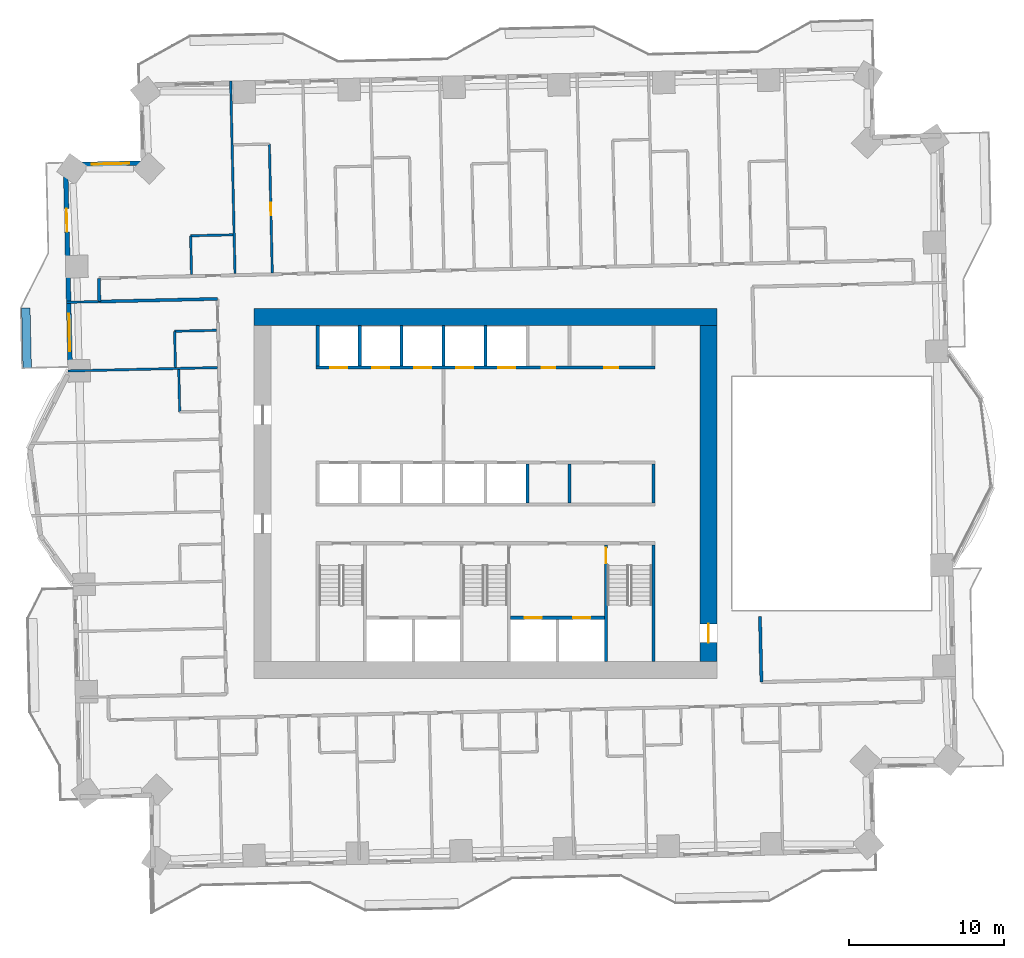
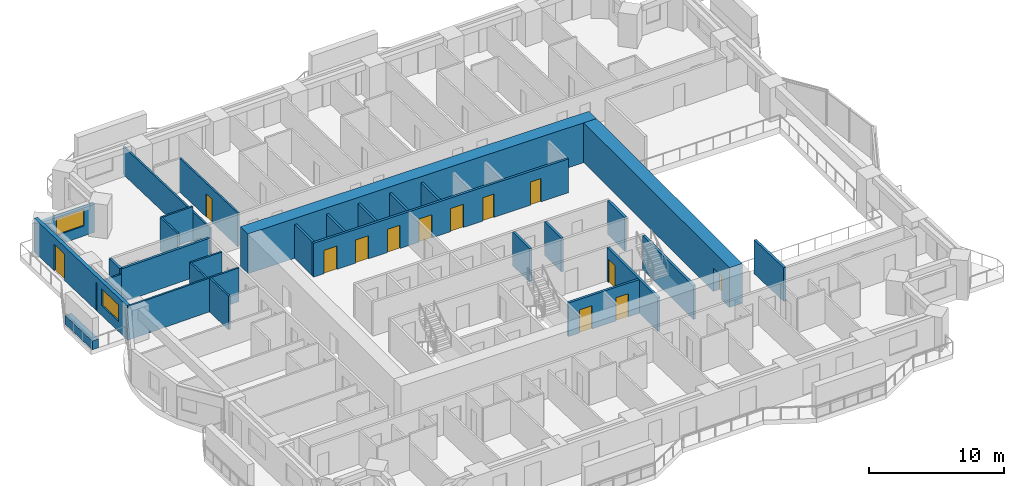
# One storey, part 10 of 17: 29 walls, 13 doors, 2 windows, 15 openings.
"""IFC4 building model written with IfcOpenShell, lengths in metres."""

from ifc_helpers import new_model, si_unit, direction, frame, frame_2d, origin, place, context, subcontext, project, spatial, rectangle, extrude, material, layer, layer_set, type_object, element, fill, save


model = new_model("IFC4")

# Units and contexts
model_context = context("Model", 3, precision=1e-05, world=origin(), true_north=direction((0.0, 1.0)))
body_context = subcontext(model_context, "Body", "Model", "MODEL_VIEW")
ifc_project = project(units=[si_unit("LENGTHUNIT", "METRE"), si_unit("AREAUNIT", "SQUARE_METRE"), si_unit("VOLUMEUNIT", "CUBIC_METRE"), si_unit("PLANEANGLEUNIT", "RADIAN"), si_unit("MASSUNIT", "GRAM", prefix="KILO")], contexts=[model_context])

# Site, building, storey
site_placement = place(None, origin())
site = spatial("IfcSite", under=ifc_project, at=site_placement, CompositionType="ELEMENT")
building_placement = place(site_placement, origin())
building = spatial("IfcBuilding", under=site, at=building_placement, Name="Mangrove Gate Tower", CompositionType="ELEMENT")
storey_placement = place(building_placement, frame((0.0, 0.0, 86.5)))
storey = spatial("IfcBuildingStorey", under=building, at=storey_placement, Name="L21", CompositionType="ELEMENT", Elevation=86.5)

# Walls
ifc_material_1 = material(Name="Concrete C32/40", Category="concrete")
ifc_layer_1 = layer(ifc_material_1, 0.199951171875)
ifc_layer_set_1 = layer_set([ifc_layer_1], Name="Core room wall 200 C32/40")
wall_type_1 = type_object("IfcWallType", Name="Core room wall 200 C32/40", PredefinedType="STANDARD", material=ifc_layer_set_1)
for number, where, z_axis, x_axis, name in (
    (1, (5.39990234375, -0.60009765625, 0.0), (0.0, 0.0, 1.0), (0.0, 1.0, 0.0), "WALL-L21-CORE-25"),
    (2, (10.800048828125, -0.60009765625, 0.0), (0.0, 0.0, 1.0), (0.0, 1.0, 0.0), "WALL-L21-CORE-26"),
):
    element("IfcWall", number, at=place(storey_placement, frame(where, z_axis=z_axis, x_axis=x_axis)), inside=storey, type_object=wall_type_1, Name=name, PredefinedType="STANDARD", context=body_context, shape_type="SweptSolid", body=[
        extrude(rectangle(XDim=2.5, YDim=0.199951171875, at=frame_2d((1.25, 0.0))), origin(), (0.0, 0.0, 1.0), 3.050048828125),
    ])

# Wall, openings, doors
ifc_material_2 = material(Name="Concrete C70/85", Category="concrete")
ifc_layer_2 = layer(ifc_material_2, 0.199951171875)
ifc_layer_set_2 = layer_set([ifc_layer_2], Name="Core shaft wall 200 C70/85")
wall_type_2 = type_object("IfcWallType", Name="Core shaft wall 200 C70/85", PredefinedType="SHEAR", material=ifc_layer_set_2)
wall_1_placement = place(storey_placement, frame((-10.89990234375, 8.10009765625, 0.0), z_axis=(0.0, 0.0, 1.0), x_axis=(1.0, 0.0, 0.0)))
wall_1 = element("IfcWall", 3, at=wall_1_placement, inside=storey, type_object=wall_type_2, Name="WALL-L21-CORE-8", PredefinedType="SHEAR", context=body_context, shape_type="SweptSolid", body=[
    extrude(rectangle(XDim=21.7998046875, YDim=0.199951171875, at=frame_2d((10.89990234375, 0.0))), origin(), (0.0, 0.0, 1.0), 3.050048828125),
])
opening_1_placement = place(wall_1_placement, frame((0.89990234375, 0.0, 0.0)))
opening_1 = element("IfcOpeningElement", 4, at=opening_1_placement, cuts=wall_1, Name="Opening LD", PredefinedType="OPENING", context=body_context, shape_type="SweptSolid", body=[
    extrude(rectangle(XDim=1.10009765625, YDim=2.10009765625, at=frame_2d((0.550048828125, 1.050048828125))), frame((0.0, 0.10986328125, 0.0), z_axis=(0.0, -1.0, 0.0), x_axis=(1.0, 0.0, 0.0)), (0.0, 0.0, 1.0), 0.219970703125),
])
opening_2_placement = place(wall_1_placement, frame((3.60009765625, 0.0, 0.0)))
opening_2 = element("IfcOpeningElement", 5, at=opening_2_placement, cuts=wall_1, Name="Opening LD", PredefinedType="OPENING", context=body_context, shape_type="SweptSolid", body=[
    extrude(rectangle(XDim=1.10009765625, YDim=2.10009765625, at=frame_2d((0.550048828125, 1.050048828125))), frame((0.0, 0.10986328125, 0.0), z_axis=(0.0, -1.0, 0.0), x_axis=(1.0, 0.0, 0.0)), (0.0, 0.0, 1.0), 0.219970703125),
])
opening_3_placement = place(wall_1_placement, frame((6.300048828125, 0.0, 0.0)))
opening_3 = element("IfcOpeningElement", 6, at=opening_3_placement, cuts=wall_1, Name="Opening LD", PredefinedType="OPENING", context=body_context, shape_type="SweptSolid", body=[
    extrude(rectangle(XDim=1.10009765625, YDim=2.10009765625, at=frame_2d((0.550048828125, 1.050048828125))), frame((0.0, 0.10986328125, 0.0), z_axis=(0.0, -1.0, 0.0), x_axis=(1.0, 0.0, 0.0)), (0.0, 0.0, 1.0), 0.219970703125),
])
opening_4_placement = place(wall_1_placement, frame((9.0, 0.0, 0.0)))
opening_4 = element("IfcOpeningElement", 7, at=opening_4_placement, cuts=wall_1, Name="Opening LD", PredefinedType="OPENING", context=body_context, shape_type="SweptSolid", body=[
    extrude(rectangle(XDim=1.10009765625, YDim=2.10009765625, at=frame_2d((0.550048828125, 1.050048828125))), frame((0.0, 0.10986328125, 0.0), z_axis=(0.0, -1.0, 0.0), x_axis=(1.0, 0.0, 0.0)), (0.0, 0.0, 1.0), 0.219970703125),
])
opening_5_placement = place(wall_1_placement, frame((11.699951171875, 0.0, 0.0)))
opening_5 = element("IfcOpeningElement", 8, at=opening_5_placement, cuts=wall_1, Name="Opening LD", PredefinedType="OPENING", context=body_context, shape_type="SweptSolid", body=[
    extrude(rectangle(XDim=1.10009765625, YDim=2.10009765625, at=frame_2d((0.550048828125, 1.050048828125))), frame((0.0, 0.10986328125, 0.0), z_axis=(0.0, -1.0, 0.0), x_axis=(1.0, 0.0, 0.0)), (0.0, 0.0, 1.0), 0.219970703125),
])
opening_6_placement = place(wall_1_placement, frame((14.5, 0.0, 0.0)))
opening_6 = element("IfcOpeningElement", 9, at=opening_6_placement, cuts=wall_1, Name="Opening KD", PredefinedType="OPENING", context=body_context, shape_type="SweptSolid", body=[
    extrude(rectangle(XDim=0.89990234375, YDim=2.10009765625, at=frame_2d((0.449951171875, 1.050048828125))), frame((0.0, 0.10986328125, 0.0), z_axis=(0.0, -1.0, 0.0), x_axis=(1.0, 0.0, 0.0)), (0.0, 0.0, 1.0), 0.219970703125),
])
opening_7_placement = place(wall_1_placement, frame((18.550048828125, 0.0, 0.0)))
opening_7 = element("IfcOpeningElement", 10, at=opening_7_placement, cuts=wall_1, Name="Opening RD", PredefinedType="OPENING", context=body_context, shape_type="SweptSolid", body=[
    extrude(rectangle(XDim=0.89990234375, YDim=2.10009765625, at=frame_2d((0.449951171875, 1.050048828125))), frame((0.0, 0.10986328125, 0.0), z_axis=(0.0, -1.0, 0.0), x_axis=(1.0, 0.0, 0.0)), (0.0, 0.0, 1.0), 0.219970703125),
])
ifc_material_3 = material(Name="Fire-rated steel door set", Category="steel")
door_type_1 = type_object("IfcDoorType", Name="Core room door FD30S 900x2100", OperationType="SINGLE_SWING_RIGHT", PredefinedType="DOOR", material=ifc_material_3)
door_1_placement = place(opening_6_placement, origin())
door_1 = element("IfcDoor", 11, at=door_1_placement, inside=storey, type_object=door_type_1, Name="Core room door Linen store", OperationType="SINGLE_SWING_RIGHT", OverallHeight=2.10009765625, OverallWidth=0.89990234375, PredefinedType="DOOR", context=body_context, shape_type="SweptSolid", body=[
    extrude(rectangle(XDim=0.89990234375, YDim=2.10009765625, at=frame_2d((0.449951171875, 1.050048828125))), frame((0.0, 0.02490234375, 0.0), z_axis=(0.0, -1.0, 0.0), x_axis=(1.0, 0.0, 0.0)), (0.0, 0.0, 1.0), 0.050048828125),
])
fill(opening_6, door_1)
ifc_material_4 = material(Name="Stainless steel 316", Category="steel")
door_type_2 = type_object("IfcDoorType", Name="Lift landing door 1100x2100", OperationType="SLIDING_TO_LEFT", PredefinedType="DOOR", material=ifc_material_4)
door_2_placement = place(opening_1_placement, origin())
door_2 = element("IfcDoor", 12, at=door_2_placement, inside=storey, type_object=door_type_2, Name="Landing door LD P06", OperationType="SLIDING_TO_LEFT", OverallHeight=2.10009765625, OverallWidth=1.10009765625, PredefinedType="DOOR", context=body_context, shape_type="SweptSolid", body=[
    extrude(rectangle(XDim=1.10009765625, YDim=2.10009765625, at=frame_2d((0.550048828125, 1.050048828125))), frame((0.0, 0.02490234375, 0.0), z_axis=(0.0, -1.0, 0.0), x_axis=(1.0, 0.0, 0.0)), (0.0, 0.0, 1.0), 0.050048828125),
])
fill(opening_1, door_2)
door_3_placement = place(opening_2_placement, origin())
door_3 = element("IfcDoor", 13, at=door_3_placement, inside=storey, type_object=door_type_2, Name="Landing door LD P07", OperationType="SLIDING_TO_LEFT", OverallHeight=2.10009765625, OverallWidth=1.10009765625, PredefinedType="DOOR", context=body_context, shape_type="SweptSolid", body=[
    extrude(rectangle(XDim=1.10009765625, YDim=2.10009765625, at=frame_2d((0.550048828125, 1.050048828125))), frame((0.0, 0.02490234375, 0.0), z_axis=(0.0, -1.0, 0.0), x_axis=(1.0, 0.0, 0.0)), (0.0, 0.0, 1.0), 0.050048828125),
])
fill(opening_2, door_3)
door_4_placement = place(opening_3_placement, origin())
door_4 = element("IfcDoor", 14, at=door_4_placement, inside=storey, type_object=door_type_2, Name="Landing door LD P08", OperationType="SLIDING_TO_LEFT", OverallHeight=2.10009765625, OverallWidth=1.10009765625, PredefinedType="DOOR", context=body_context, shape_type="SweptSolid", body=[
    extrude(rectangle(XDim=1.10009765625, YDim=2.10009765625, at=frame_2d((0.550048828125, 1.050048828125))), frame((0.0, 0.02490234375, 0.0), z_axis=(0.0, -1.0, 0.0), x_axis=(1.0, 0.0, 0.0)), (0.0, 0.0, 1.0), 0.050048828125),
])
fill(opening_3, door_4)
door_5_placement = place(opening_4_placement, origin())
door_5 = element("IfcDoor", 15, at=door_5_placement, inside=storey, type_object=door_type_2, Name="Landing door LD P09", OperationType="SLIDING_TO_LEFT", OverallHeight=2.10009765625, OverallWidth=1.10009765625, PredefinedType="DOOR", context=body_context, shape_type="SweptSolid", body=[
    extrude(rectangle(XDim=1.10009765625, YDim=2.10009765625, at=frame_2d((0.550048828125, 1.050048828125))), frame((0.0, 0.02490234375, 0.0), z_axis=(0.0, -1.0, 0.0), x_axis=(1.0, 0.0, 0.0)), (0.0, 0.0, 1.0), 0.050048828125),
])
fill(opening_4, door_5)
door_6_placement = place(opening_5_placement, origin())
door_6 = element("IfcDoor", 16, at=door_6_placement, inside=storey, type_object=door_type_2, Name="Landing door LD P10", OperationType="SLIDING_TO_LEFT", OverallHeight=2.10009765625, OverallWidth=1.10009765625, PredefinedType="DOOR", context=body_context, shape_type="SweptSolid", body=[
    extrude(rectangle(XDim=1.10009765625, YDim=2.10009765625, at=frame_2d((0.550048828125, 1.050048828125))), frame((0.0, 0.02490234375, 0.0), z_axis=(0.0, -1.0, 0.0), x_axis=(1.0, 0.0, 0.0)), (0.0, 0.0, 1.0), 0.050048828125),
])
fill(opening_5, door_6)
ifc_material_5 = material(Name="Fire-rated steel door set", Category="steel")
door_type_3 = type_object("IfcDoorType", Name="Riser door FD30S 900x2100", OperationType="SINGLE_SWING_LEFT", PredefinedType="DOOR", material=ifc_material_5)
door_7_placement = place(opening_7_placement, origin())
door_7 = element("IfcDoor", 17, at=door_7_placement, inside=storey, type_object=door_type_3, Name="Riser door Switch room", OperationType="SINGLE_SWING_LEFT", OverallHeight=2.10009765625, OverallWidth=0.89990234375, PredefinedType="DOOR", context=body_context, shape_type="SweptSolid", body=[
    extrude(rectangle(XDim=0.89990234375, YDim=2.10009765625, at=frame_2d((0.449951171875, 1.050048828125))), frame((0.0, 0.02490234375, 0.0), z_axis=(0.0, -1.0, 0.0), x_axis=(1.0, 0.0, 0.0)), (0.0, 0.0, 1.0), 0.050048828125),
])
fill(opening_7, door_7)

wall_2_placement = place(storey_placement, frame((1.60009765625, -8.0, 0.0), z_axis=(0.0, 0.0, 1.0), x_axis=(1.0, 0.0, 0.0)))
wall_2 = element("IfcWall", 18, at=wall_2_placement, inside=storey, type_object=wall_type_2, Name="WALL-L21-CORE-17", PredefinedType="SHEAR", context=body_context, shape_type="SweptSolid", body=[
    extrude(rectangle(XDim=6.0498046875, YDim=0.199951171875, at=frame_2d((3.02490234375, 0.0))), origin(), (0.0, 0.0, 1.0), 3.050048828125),
])
opening_8_placement = place(wall_2_placement, frame((0.91259765625, 0.0, 0.0)))
opening_8 = element("IfcOpeningElement", 19, at=opening_8_placement, cuts=wall_2, Name="Opening LD", PredefinedType="OPENING", context=body_context, shape_type="SweptSolid", body=[
    extrude(rectangle(XDim=1.10009765625, YDim=2.10009765625, at=frame_2d((0.550048828125, 1.050048828125))), frame((0.0, 0.10986328125, 0.0), z_axis=(0.0, -1.0, 0.0), x_axis=(1.0, 0.0, 0.0)), (0.0, 0.0, 1.0), 0.219970703125),
])
opening_9_placement = place(wall_2_placement, frame((4.03759765625, 0.0, 0.0)))
opening_9 = element("IfcOpeningElement", 20, at=opening_9_placement, cuts=wall_2, Name="Opening LD", PredefinedType="OPENING", context=body_context, shape_type="SweptSolid", body=[
    extrude(rectangle(XDim=1.10009765625, YDim=2.10009765625, at=frame_2d((0.550048828125, 1.050048828125))), frame((0.0, 0.10986328125, 0.0), z_axis=(0.0, -1.0, 0.0), x_axis=(1.0, 0.0, 0.0)), (0.0, 0.0, 1.0), 0.219970703125),
])
door_8_placement = place(opening_8_placement, origin())
door_8 = element("IfcDoor", 21, at=door_8_placement, inside=storey, type_object=door_type_2, Name="Landing door LD FFL1", OperationType="SLIDING_TO_LEFT", OverallHeight=2.10009765625, OverallWidth=1.10009765625, PredefinedType="DOOR", context=body_context, shape_type="SweptSolid", body=[
    extrude(rectangle(XDim=1.10009765625, YDim=2.10009765625, at=frame_2d((0.550048828125, 1.050048828125))), frame((0.0, 0.02490234375, 0.0), z_axis=(0.0, -1.0, 0.0), x_axis=(1.0, 0.0, 0.0)), (0.0, 0.0, 1.0), 0.050048828125),
])
fill(opening_8, door_8)
door_9_placement = place(opening_9_placement, origin())
door_9 = element("IfcDoor", 22, at=door_9_placement, inside=storey, type_object=door_type_2, Name="Landing door LD FFL2", OperationType="SLIDING_TO_LEFT", OverallHeight=2.10009765625, OverallWidth=1.10009765625, PredefinedType="DOOR", context=body_context, shape_type="SweptSolid", body=[
    extrude(rectangle(XDim=1.10009765625, YDim=2.10009765625, at=frame_2d((0.550048828125, 1.050048828125))), frame((0.0, 0.02490234375, 0.0), z_axis=(0.0, -1.0, 0.0), x_axis=(1.0, 0.0, 0.0)), (0.0, 0.0, 1.0), 0.050048828125),
])
fill(opening_9, door_9)

# Walls
wall_3_placement = place(storey_placement, frame((2.699951171875, -0.60009765625, 0.0), z_axis=(0.0, 0.0, 1.0), x_axis=(0.0, 1.0, 0.0)))
element("IfcWall", 23, at=wall_3_placement, inside=storey, type_object=wall_type_2, Name="WALL-L21-CORE-24", PredefinedType="SHEAR", context=body_context, shape_type="SweptSolid", body=[
    extrude(rectangle(XDim=2.5, YDim=0.199951171875, at=frame_2d((1.25, 0.0))), origin(), (0.0, 0.0, 1.0), 3.050048828125),
])
for number, where, z_axis, x_axis, name in (
    (24, (-10.800048828125, 8.199951171875, 0.0), (0.0, 0.0, 1.0), (0.0, 1.0, 0.0), "WALL-L21-CORE-27"),
    (25, (-8.10009765625, 8.199951171875, 0.0), (0.0, 0.0, 1.0), (0.0, 1.0, 0.0), "WALL-L21-CORE-28"),
    (26, (-5.39990234375, 8.199951171875, 0.0), (0.0, 0.0, 1.0), (0.0, 1.0, 0.0), "WALL-L21-CORE-29"),
    (27, (-2.699951171875, 8.199951171875, 0.0), (0.0, 0.0, 1.0), (0.0, 1.0, 0.0), "WALL-L21-CORE-30"),
    (28, (0.0, 8.199951171875, 0.0), (0.0, 0.0, 1.0), (0.0, 1.0, 0.0), "WALL-L21-CORE-31"),
):
    element("IfcWall", number, at=place(storey_placement, frame(where, z_axis=z_axis, x_axis=x_axis)), inside=storey, type_object=wall_type_2, Name=name, PredefinedType="SHEAR", context=body_context, shape_type="SweptSolid", body=[
        extrude(rectangle(XDim=2.60009765625, YDim=0.199951171875, at=frame_2d((1.300048828125, 0.0))), origin(), (0.0, 0.0, 1.0), 3.050048828125),
    ])

# Wall, opening, door
ifc_material_6 = material(Name="Concrete C70/85", Category="concrete")
ifc_layer_3 = layer(ifc_material_6, 0.199951171875)
ifc_layer_set_3 = layer_set([ifc_layer_3], Name="Core stair wall 200 C70/85")
wall_type_3 = type_object("IfcWallType", Name="Core stair wall 200 C70/85", PredefinedType="SHEAR", material=ifc_layer_set_3)
wall_4_placement = place(storey_placement, frame((7.75, -10.800048828125, 0.0), z_axis=(0.0, 0.0, 1.0), x_axis=(0.0, 1.0, 0.0)))
wall_4 = element("IfcWall", 29, at=wall_4_placement, inside=storey, type_object=wall_type_3, Name="WALL-L21-CORE-13", PredefinedType="SHEAR", context=body_context, shape_type="SweptSolid", body=[
    extrude(rectangle(XDim=7.5, YDim=0.199951171875, at=frame_2d((3.75, 0.0))), origin(), (0.0, 0.0, 1.0), 3.050048828125),
])
opening_10_placement = place(wall_4_placement, frame((6.300048828125, 0.0, 0.0)))
opening_10 = element("IfcOpeningElement", 30, at=opening_10_placement, cuts=wall_4, Name="Opening STD10", PredefinedType="OPENING", context=body_context, shape_type="SweptSolid", body=[
    extrude(rectangle(XDim=1.0, YDim=2.10009765625, at=frame_2d((0.5, 1.050048828125))), frame((0.0, 0.10986328125, 0.0), z_axis=(0.0, -1.0, 0.0), x_axis=(1.0, 0.0, 0.0)), (0.0, 0.0, 1.0), 0.219970703125),
])
ifc_material_7 = material(Name="Fire-rated steel door set", Category="steel")
door_type_4 = type_object("IfcDoorType", Name="Stair door FD60 1000x2100", OperationType="SINGLE_SWING_RIGHT", PredefinedType="DOOR", material=ifc_material_7)
door_10_placement = place(opening_10_placement, origin())
door_10 = element("IfcDoor", 31, at=door_10_placement, inside=storey, type_object=door_type_4, Name="Stair door Stair 3 from fire-fighting lobby", OperationType="SINGLE_SWING_RIGHT", OverallHeight=2.10009765625, OverallWidth=1.0, PredefinedType="DOOR", context=body_context, shape_type="SweptSolid", body=[
    extrude(rectangle(XDim=1.0, YDim=2.10009765625, at=frame_2d((0.5, 1.050048828125))), frame((0.0, 0.02490234375, 0.0), z_axis=(0.0, -1.0, 0.0), x_axis=(1.0, 0.0, 0.0)), (0.0, 0.0, 1.0), 0.050048828125),
])
fill(opening_10, door_10)

# Walls
wall_5_placement = place(storey_placement, frame((10.800048828125, -10.800048828125, 0.0), z_axis=(0.0, 0.0, 1.0), x_axis=(0.0, 1.0, 0.0)))
element("IfcWall", 32, at=wall_5_placement, inside=storey, type_object=wall_type_3, Name="WALL-L21-CORE-14", PredefinedType="SHEAR", context=body_context, shape_type="SweptSolid", body=[
    extrude(rectangle(XDim=7.5, YDim=0.199951171875, at=frame_2d((3.75, 0.0))), origin(), (0.0, 0.0, 1.0), 3.050048828125),
])
ifc_material_8 = material(Name="Concrete C70/85", Category="concrete")
ifc_layer_4 = layer(ifc_material_8, 1.10009765625)
ifc_layer_set_4 = layer_set([ifc_layer_4], Name="Core wall 1100 C70/85")
wall_type_4 = type_object("IfcWallType", Name="Core wall 1100 C70/85", PredefinedType="SHEAR", material=ifc_layer_set_4)
wall_6_placement = place(storey_placement, frame((-14.89990234375, 11.35009765625, 0.0), z_axis=(0.0, 0.0, 1.0), x_axis=(1.0, 0.0, 0.0)))
element("IfcWall", 33, at=wall_6_placement, inside=storey, type_object=wall_type_4, Name="WALL-L21-CORE-2", PredefinedType="SHEAR", context=body_context, shape_type="SweptSolid", body=[
    extrude(rectangle(XDim=29.7998046875, YDim=1.10009765625, at=frame_2d((14.89990234375, 0.0))), origin(), (0.0, 0.0, 1.0), 3.60009765625),
])

# Wall, opening, door
wall_7_placement = place(storey_placement, frame((14.35009765625, -10.800048828125, 0.0), z_axis=(0.0, 0.0, 1.0), x_axis=(0.0, 1.0, 0.0)))
wall_7 = element("IfcWall", 34, at=wall_7_placement, inside=storey, type_object=wall_type_4, Name="WALL-L21-CORE-4", PredefinedType="SHEAR", context=body_context, shape_type="SweptSolid", body=[
    extrude(rectangle(XDim=21.60009765625, YDim=1.10009765625, at=frame_2d((10.800048828125, 0.0))), origin(), (0.0, 0.0, 1.0), 3.60009765625),
])
opening_11_placement = place(wall_7_placement, frame((1.199951171875, 0.0, 0.0)))
opening_11 = element("IfcOpeningElement", 35, at=opening_11_placement, cuts=wall_7, Name="Opening CD", PredefinedType="OPENING", context=body_context, shape_type="SweptSolid", body=[
    extrude(rectangle(XDim=1.199951171875, YDim=2.10009765625, at=frame_2d((0.60009765625, 1.050048828125))), frame((0.0, 0.56005859375, 0.0), z_axis=(0.0, -1.0, 0.0), x_axis=(1.0, 0.0, 0.0)), (0.0, 0.0, 1.0), 1.1201171875),
])
ifc_material_9 = material(Name="Fire-rated steel door set", Category="steel")
door_type_5 = type_object("IfcDoorType", Name="Core ring door FD60 1200x2100", OperationType="DOUBLE_DOOR_SINGLE_SWING", PredefinedType="DOOR", material=ifc_material_9)
door_11_placement = place(opening_11_placement, origin())
door_11 = element("IfcDoor", 36, at=door_11_placement, inside=storey, type_object=door_type_5, Name="Core ring door E1", OperationType="DOUBLE_DOOR_SINGLE_SWING", OverallHeight=2.10009765625, OverallWidth=1.199951171875, PredefinedType="DOOR", context=body_context, shape_type="SweptSolid", body=[
    extrude(rectangle(XDim=1.199951171875, YDim=2.10009765625, at=frame_2d((0.60009765625, 1.050048828125))), frame((0.0, 0.02490234375, 0.0), z_axis=(0.0, -1.0, 0.0), x_axis=(1.0, 0.0, 0.0)), (0.0, 0.0, 1.0), 0.050048828125),
])
fill(opening_11, door_11)

# Walls
ifc_material_10 = material(Name="Gypsum board on steel stud, EI 60", Category="steel")
ifc_layer_5 = layer(ifc_material_10, 0.199951171875)
ifc_layer_set_5 = layer_set([ifc_layer_5], Name="Corridor wall EI 60")
wall_type_5 = type_object("IfcWallType", Name="Corridor wall EI 60", PredefinedType="PARTITIONING", material=ifc_layer_set_5)
wall_8_placement = place(storey_placement, frame((17.757080078125, -12.136962890625, 0.0), z_axis=(0.0, 0.0, 1.0), x_axis=(-0.022718785711, 0.999741895079, 0.0)))
element("IfcWall", 37, at=wall_8_placement, inside=storey, type_object=wall_type_5, Name="WALL-L21-038", PredefinedType="PARTITIONING", context=body_context, shape_type="SweptSolid", body=[
    extrude(rectangle(XDim=4.23388671875, YDim=0.199951171875, at=frame_2d((2.116943359375, 0.0))), origin(), (0.0, 0.0, 1.0), 3.050048828125),
])
wall_9_placement = place(storey_placement, frame((-24.861083984375, 12.35205078125, 0.0), z_axis=(0.0, 0.0, 1.0), x_axis=(0.999741736108, 0.02272578017, 0.0)))
element("IfcWall", 38, at=wall_9_placement, inside=storey, type_object=wall_type_5, Name="WALL-L21-056", PredefinedType="PARTITIONING", context=body_context, shape_type="SweptSolid", body=[
    extrude(rectangle(XDim=7.60595703125, YDim=0.199951171875, at=frame_2d((3.802978515625, 0.0))), origin(), (0.0, 0.0, 1.0), 3.050048828125),
])
wall_10_placement = place(storey_placement, frame((-24.860107421875, 12.35205078125, 0.0), z_axis=(0.0, 0.0, 1.0), x_axis=(-0.022617910375, 0.999744182344, 0.0)))
element("IfcWall", 39, at=wall_10_placement, inside=storey, type_object=wall_type_5, Name="WALL-L21-057", PredefinedType="PARTITIONING", context=body_context, shape_type="SweptSolid", body=[
    extrude(rectangle(XDim=1.50048828125, YDim=0.199951171875, at=frame_2d((0.750244140625, 0.0))), origin(), (0.0, 0.0, 1.0), 3.050048828125),
])

# Wall, opening, window
ifc_material_11 = material(Name="Limestone", Category="masonry")
ifc_layer_6 = layer(ifc_material_11, 0.0400390625, Name="Limestone cladding")
ifc_material_12 = material(Name="Ventilated air gap")
ifc_layer_7 = layer(ifc_material_12, 0.0400390625, Name="Ventilated cavity")
ifc_material_13 = material(Name="Mineral wool insulation")
ifc_layer_8 = layer(ifc_material_13, 0.06005859375, Name="Insulation")
ifc_material_14 = material(Name="Breather membrane")
ifc_layer_9 = layer(ifc_material_14, 0.001953125, Name="Breather membrane")
ifc_material_15 = material(Name="Concrete C20/25 blockwork", Category="masonry")
ifc_layer_10 = layer(ifc_material_15, 0.14990234375, Name="Blockwork backing wall")
ifc_material_16 = material(Name="Gypsum plaster")
ifc_layer_11 = layer(ifc_material_16, 0.008056640625, Name="Internal plaster")
ifc_layer_set_6 = layer_set([ifc_layer_6, ifc_layer_7, ifc_layer_8, ifc_layer_9, ifc_layer_10, ifc_layer_11], Name="External wall 300 limestone cladding")
wall_type_6 = type_object("IfcWallType", Name="External wall 300 limestone cladding", PredefinedType="SOLIDWALL", material=ifc_layer_set_6)
wall_11_placement = place(storey_placement, frame((-22.037109375, 21.26904296875, 0.0), z_axis=(0.0, 0.0, 1.0), x_axis=(-0.999739992103, -0.022802372469, 0.0)))
wall_11 = element("IfcWall", 40, at=wall_11_placement, inside=storey, type_object=wall_type_6, Name="WALL-L21-N7", PredefinedType="SOLIDWALL", context=body_context, shape_type="SweptSolid", body=[
    extrude(rectangle(XDim=5.0, YDim=0.300048828125, at=frame_2d((2.5, 0.0))), origin(), (0.0, 0.0, 1.0), 2.550048828125),
])
opening_12_placement = place(wall_11_placement, frame((0.907958984375, 0.0, 0.89990234375)))
opening_12 = element("IfcOpeningElement", 41, at=opening_12_placement, cuts=wall_11, Name="Opening W2", PredefinedType="OPENING", context=body_context, shape_type="SweptSolid", body=[
    extrude(rectangle(XDim=2.39990234375, YDim=1.5, at=frame_2d((1.199951171875, 0.75))), frame((0.0, 0.159912109375, 0.0), z_axis=(0.0, -1.0, 0.0), x_axis=(1.0, 0.0, 0.0)), (0.0, 0.0, 1.0), 0.320068359375),
])
ifc_material_17 = material(Name="Aluminium frame with double-glazed low-e glass", Category="aluminium")
window_type = type_object("IfcWindowType", Name="Corner room window 2400x1500", PartitioningType="DOUBLE_PANEL_VERTICAL", PredefinedType="WINDOW", material=ifc_material_17)
window_1_placement = place(opening_12_placement, origin())
window_1 = element("IfcWindow", 42, at=window_1_placement, inside=storey, type_object=window_type, Name="WIN-L21-N7-1", OverallHeight=1.5, OverallWidth=2.39990234375, PartitioningType="DOUBLE_PANEL_VERTICAL", PredefinedType="WINDOW", context=body_context, shape_type="SweptSolid", body=[
    extrude(rectangle(XDim=2.39990234375, YDim=1.5, at=frame_2d((1.199951171875, 0.75))), frame((0.0, 0.030029296875, 0.0), z_axis=(0.0, -1.0, 0.0), x_axis=(1.0, 0.0, 0.0)), (0.0, 0.0, 1.0), 0.06005859375),
])
fill(opening_12, window_1)

# Wall, openings, door, window
wall_12_placement = place(storey_placement, frame((-27.035888671875, 21.155029296875, 0.0), z_axis=(0.0, 0.0, 1.0), x_axis=(0.022730142562, -0.999741636934, 0.0)))
wall_12 = element("IfcWall", 43, at=wall_12_placement, inside=storey, type_object=wall_type_6, Name="WALL-L21-W8", PredefinedType="SOLIDWALL", context=body_context, shape_type="SweptSolid", body=[
    extrude(rectangle(XDim=13.329345703125, YDim=0.300048828125, at=frame_2d((6.66455078125, 0.0))), origin(), (0.0, 0.0, 1.0), 3.050048828125),
])
opening_13_placement = place(wall_12_placement, frame((2.818115234375, 0.0, 0.0)))
opening_13 = element("IfcOpeningElement", 44, at=opening_13_placement, cuts=wall_12, Name="Opening BD1", PredefinedType="OPENING", context=body_context, shape_type="SweptSolid", body=[
    extrude(rectangle(XDim=1.5, YDim=2.39990234375, at=frame_2d((0.75, 1.199951171875))), frame((0.0, 0.159912109375, 0.0), z_axis=(0.0, -1.0, 0.0), x_axis=(1.0, 0.0, 0.0)), (0.0, 0.0, 1.0), 0.320068359375),
])
opening_14_placement = place(wall_12_placement, frame((9.60009765625, 0.0, 0.89990234375)))
opening_14 = element("IfcOpeningElement", 45, at=opening_14_placement, cuts=wall_12, Name="Opening W2", PredefinedType="OPENING", context=body_context, shape_type="SweptSolid", body=[
    extrude(rectangle(XDim=2.39990234375, YDim=1.5, at=frame_2d((1.199951171875, 0.75))), frame((0.0, 0.159912109375, 0.0), z_axis=(0.0, -1.0, 0.0), x_axis=(1.0, 0.0, 0.0)), (0.0, 0.0, 1.0), 0.320068359375),
])
ifc_material_18 = material(Name="Aluminium frame with laminated clear glass", Category="aluminium")
door_type_6 = type_object("IfcDoorType", Name="Balcony sliding door 1500x2400", OperationType="SLIDING_TO_LEFT", PredefinedType="DOOR", material=ifc_material_18)
door_12_placement = place(opening_13_placement, origin())
door_12 = element("IfcDoor", 46, at=door_12_placement, inside=storey, type_object=door_type_6, Name="DOOR-L21-W8-1", OperationType="SLIDING_TO_LEFT", OverallHeight=2.39990234375, OverallWidth=1.5, PredefinedType="DOOR", context=body_context, shape_type="SweptSolid", body=[
    extrude(rectangle(XDim=1.5, YDim=2.39990234375, at=frame_2d((0.75, 1.199951171875))), frame((0.0, 0.02490234375, 0.0), z_axis=(0.0, -1.0, 0.0), x_axis=(1.0, 0.0, 0.0)), (0.0, 0.0, 1.0), 0.050048828125),
])
fill(opening_13, door_12)
window_2_placement = place(opening_14_placement, origin())
window_2 = element("IfcWindow", 47, at=window_2_placement, inside=storey, type_object=window_type, Name="WIN-L21-W8-2", OverallHeight=1.5, OverallWidth=2.39990234375, PartitioningType="DOUBLE_PANEL_VERTICAL", PredefinedType="WINDOW", context=body_context, shape_type="SweptSolid", body=[
    extrude(rectangle(XDim=2.39990234375, YDim=1.5, at=frame_2d((1.199951171875, 0.75))), frame((0.0, 0.030029296875, 0.0), z_axis=(0.0, -1.0, 0.0), x_axis=(1.0, 0.0, 0.0)), (0.0, 0.0, 1.0), 0.06005859375),
])
fill(opening_14, window_2)

# Walls
ifc_material_19 = material(Name="Gypsum board on steel stud, EI 60", Category="steel")
ifc_layer_12 = layer(ifc_material_19, 0.14990234375)
ifc_layer_set_7 = layer_set([ifc_layer_12], Name="Party wall 150 EI 60")
wall_type_7 = type_object("IfcWallType", Name="Party wall 150 EI 60", PredefinedType="PARTITIONING", material=ifc_layer_set_7)
wall_13_placement = place(storey_placement, frame((-19.68701171875, 5.242919921875, 0.0), z_axis=(0.0, 0.0, 1.0), x_axis=(-0.022758040381, 0.999741002259, 0.0)))
element("IfcWall", 48, at=wall_13_placement, inside=storey, type_object=wall_type_7, Name="WALL-L21-049", PredefinedType="PARTITIONING", context=body_context, shape_type="SweptSolid", body=[
    extrude(rectangle(XDim=2.724853515625, YDim=0.14990234375, at=frame_2d((1.3623046875, 0.0))), origin(), (0.0, 0.0, 1.0), 3.050048828125),
])
wall_14_placement = place(storey_placement, frame((-19.9619140625, 8.112060546875, 0.0), z_axis=(0.0, 0.0, 1.0), x_axis=(-0.022781023197, 0.999740478815, 0.0)))
element("IfcWall", 49, at=wall_14_placement, inside=storey, type_object=wall_type_7, Name="WALL-L21-052", PredefinedType="PARTITIONING", context=body_context, shape_type="SweptSolid", body=[
    extrude(rectangle(XDim=2.325439453125, YDim=0.14990234375, at=frame_2d((1.16259765625, 0.0))), origin(), (0.0, 0.0, 1.0), 3.050048828125),
])
wall_15_placement = place(storey_placement, frame((-26.885009765625, 7.885009765625, 0.0), z_axis=(0.0, 0.0, 1.0), x_axis=(0.999741468995, 0.022737527832, 0.0)))
element("IfcWall", 50, at=wall_15_placement, inside=storey, type_object=wall_type_7, Name="WALL-L21-053", PredefinedType="PARTITIONING", context=body_context, shape_type="SweptSolid", body=[
    extrude(rectangle(XDim=9.63134765625, YDim=0.14990234375, at=frame_2d((4.815673828125, 0.0))), origin(), (0.0, 0.0, 1.0), 3.050048828125),
])
wall_16_placement = place(storey_placement, frame((-20.010009765625, 10.44189453125, 0.0), z_axis=(0.0, 0.0, 1.0), x_axis=(0.999744396973, 0.02260842146, 0.0)))
element("IfcWall", 51, at=wall_16_placement, inside=storey, type_object=wall_type_7, Name="WALL-L21-054", PredefinedType="PARTITIONING", context=body_context, shape_type="SweptSolid", body=[
    extrude(rectangle(XDim=2.69970703125, YDim=0.14990234375, at=frame_2d((1.349853515625, 0.0))), origin(), (0.0, 0.0, 1.0), 3.050048828125),
])
wall_17_placement = place(storey_placement, frame((-26.985107421875, 12.303955078125, 0.0), z_axis=(0.0, 0.0, 1.0), x_axis=(0.99973426125, 0.02305226414, 0.0)))
element("IfcWall", 52, at=wall_17_placement, inside=storey, type_object=wall_type_7, Name="WALL-L21-055", PredefinedType="PARTITIONING", context=body_context, shape_type="SweptSolid", body=[
    extrude(rectangle(XDim=2.128662109375, YDim=0.14990234375, at=frame_2d((1.064453125, 0.0))), origin(), (0.0, 0.0, 1.0), 2.550048828125),
])
wall_18_placement = place(storey_placement, frame((-18.927001953125, 14.0869140625, 0.0), z_axis=(0.0, 0.0, 1.0), x_axis=(-0.02274801823, 0.999741230352, 0.0)))
element("IfcWall", 53, at=wall_18_placement, inside=storey, type_object=wall_type_7, Name="WALL-L21-062", PredefinedType="PARTITIONING", context=body_context, shape_type="SweptSolid", body=[
    extrude(rectangle(XDim=2.500732421875, YDim=0.14990234375, at=frame_2d((1.25048828125, 0.0))), origin(), (0.0, 0.0, 1.0), 3.050048828125),
])
wall_19_placement = place(storey_placement, frame((-16.1279296875, 14.15087890625, 0.0), z_axis=(0.0, 0.0, 1.0), x_axis=(-0.022739741597, 0.999741418644, 0.0)))
element("IfcWall", 54, at=wall_19_placement, inside=storey, type_object=wall_type_7, Name="WALL-L21-063", PredefinedType="PARTITIONING", context=body_context, shape_type="SweptSolid", body=[
    extrude(rectangle(XDim=12.400390625, YDim=0.14990234375, at=frame_2d((6.2001953125, 0.0))), origin(), (0.0, 0.0, 1.0), 2.550048828125),
])

# Wall, opening, door
wall_20_placement = place(storey_placement, frame((-13.72900390625, 14.205078125, 0.0), z_axis=(0.0, 0.0, 1.0), x_axis=(-0.022676583998, 0.999742853207, 0.0)))
wall_20 = element("IfcWall", 55, at=wall_20_placement, inside=storey, type_object=wall_type_7, Name="WALL-L21-064", PredefinedType="PARTITIONING", context=body_context, shape_type="SweptSolid", body=[
    extrude(rectangle(XDim=8.2900390625, YDim=0.14990234375, at=frame_2d((4.14501953125, 0.0))), origin(), (0.0, 0.0, 1.0), 3.050048828125),
])
opening_15_placement = place(wall_20_placement, frame((3.695068359375, 0.0, 0.0)))
opening_15 = element("IfcOpeningElement", 56, at=opening_15_placement, cuts=wall_20, Name="Opening ED", PredefinedType="OPENING", context=body_context, shape_type="SweptSolid", body=[
    extrude(rectangle(XDim=0.800048828125, YDim=2.10009765625, at=frame_2d((0.39990234375, 1.050048828125))), frame((0.0, 0.0849609375, 0.0), z_axis=(0.0, -1.0, 0.0), x_axis=(1.0, 0.0, 0.0)), (0.0, 0.0, 1.0), 0.169921875),
])
ifc_material_20 = material(Name="Timber door leaf", Category="wood")
door_type_7 = type_object("IfcDoorType", Name="En-suite door 800", OperationType="SINGLE_SWING_LEFT", PredefinedType="DOOR", material=ifc_material_20)
door_13_placement = place(opening_15_placement, origin())
door_13 = element("IfcDoor", 57, at=door_13_placement, inside=storey, type_object=door_type_7, Name="DOOR-L21-ENS-c516", OperationType="SINGLE_SWING_RIGHT", OverallHeight=2.10009765625, OverallWidth=0.800048828125, PredefinedType="DOOR", context=body_context, shape_type="SweptSolid", body=[
    extrude(rectangle(XDim=0.800048828125, YDim=2.10009765625, at=frame_2d((0.39990234375, 1.050048828125))), frame((0.0, 0.02490234375, 0.0), z_axis=(0.0, -1.0, 0.0), x_axis=(1.0, 0.0, 0.0)), (0.0, 0.0, 1.0), 0.050048828125),
])
fill(opening_15, door_13)

# Walls
wall_21_placement = place(storey_placement, frame((-18.97998046875, 16.5869140625, 0.0), z_axis=(0.0, 0.0, 1.0), x_axis=(0.999740955847, 0.022760079124, 0.0)))
element("IfcWall", 58, at=wall_21_placement, inside=storey, type_object=wall_type_7, Name="WALL-L21-082", PredefinedType="PARTITIONING", context=body_context, shape_type="SweptSolid", body=[
    extrude(rectangle(XDim=2.724609375, YDim=0.14990234375, at=frame_2d((1.3623046875, 0.0))), origin(), (0.0, 0.0, 1.0), 3.050048828125),
])
ifc_material_21 = material(Name="Concrete C32/40", Category="concrete")
ifc_layer_13 = layer(ifc_material_21, 0.199951171875, Name="Planter trough wall")
ifc_material_22 = material(Name="Bituminous waterproofing membrane")
ifc_layer_14 = layer(ifc_material_22, 0.0048828125, Name="Waterproofing")
ifc_material_23 = material(Name="Drainage board and gravel")
ifc_layer_15 = layer(ifc_material_23, 0.044921875, Name="Drainage layer")
ifc_material_24 = material(Name="Planting soil")
ifc_layer_16 = layer(ifc_material_24, 0.300048828125, Name="Growing medium")
ifc_layer_set_8 = layer_set([ifc_layer_13, ifc_layer_14, ifc_layer_15, ifc_layer_16], Name="Planter wall 550 C32/40")
wall_type_8 = type_object("IfcWallType", Name="Planter wall 550 C32/40", PredefinedType="USERDEFINED", material=ifc_layer_set_8)
wall_22_placement = place(storey_placement, frame((-29.5048828125, 8.071044921875, 0.0), z_axis=(0.0, 0.0, 1.0), x_axis=(-0.022744303924, 0.999741314861, 0.0)))
element("IfcWall", 59, at=wall_22_placement, inside=storey, type_object=wall_type_8, Name="PLANTER L21 W0.1", ObjectType="PLANTER", PredefinedType="USERDEFINED", context=body_context, shape_type="SweptSolid", body=[
    extrude(rectangle(XDim=3.875, YDim=0.550048828125, at=frame_2d((1.9375, 0.0))), origin(), (0.0, 0.0, 1.0), 0.800048828125),
])

save(model, "model.ifc")
